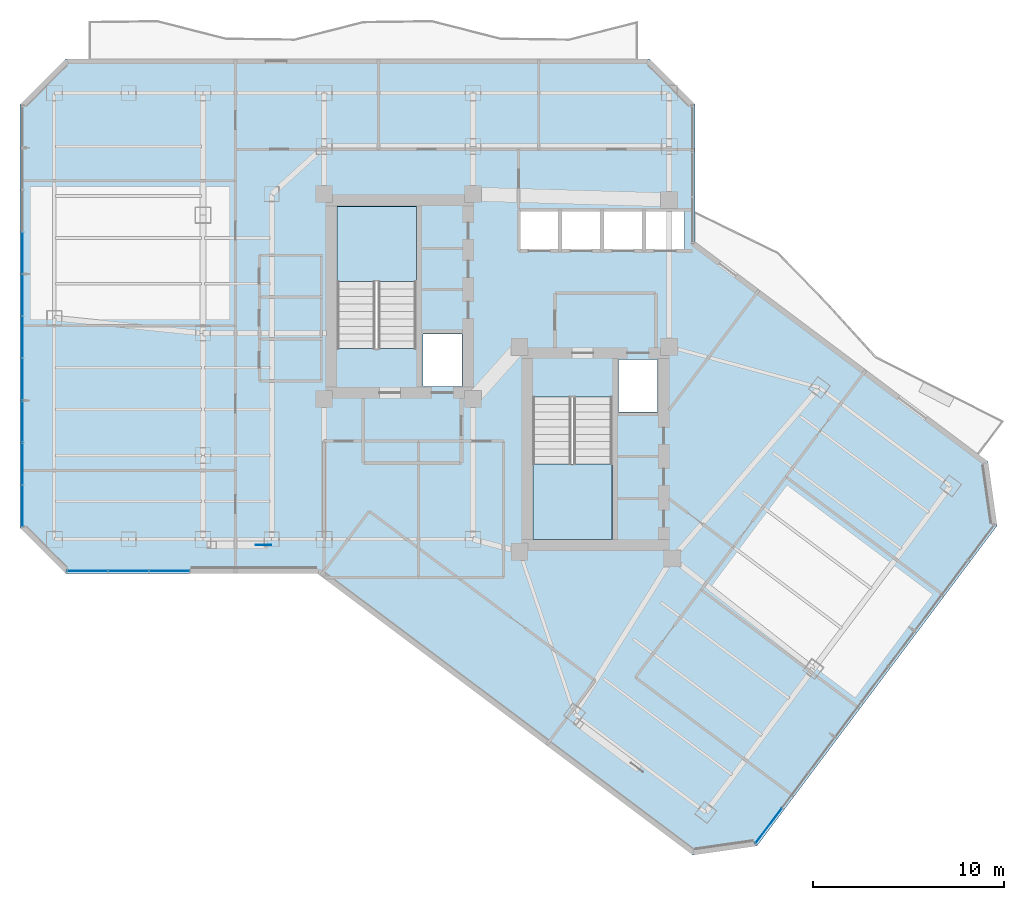
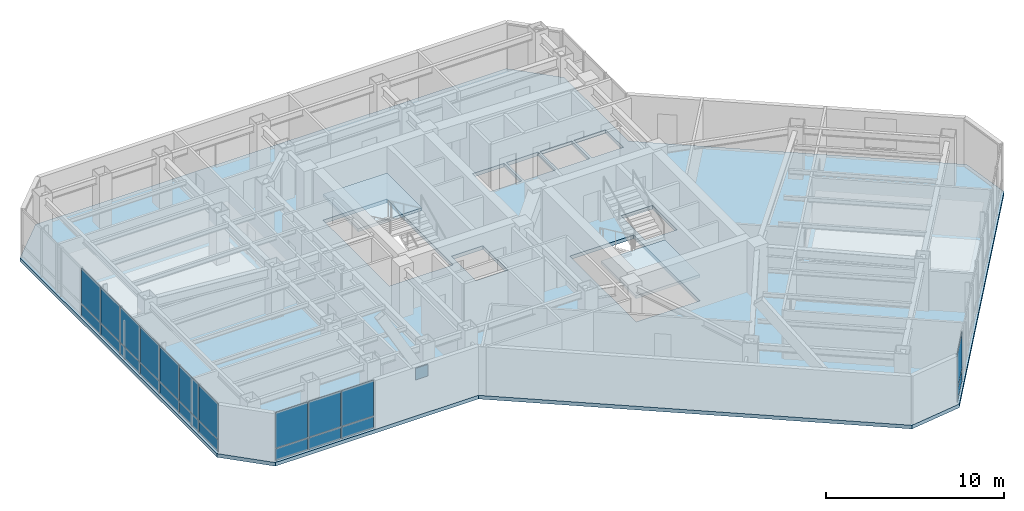
# One storey, part 20 of 28: 23 plates, 3 slabs, 5 elements without a shape of their own.
"""IFC4 building model written with IfcOpenShell, lengths in metres."""

from ifc_helpers import new_model, si_unit, direction, frame, origin, origin_2d, place, context, subcontext, project, spatial, polyline, rectangle, outline, extrude, material, layer, layer_set, type_object, element, aggregate, save


model = new_model("IFC4")

# Units and contexts
model_context = context("Model", 3, precision=1e-05, world=origin(), true_north=direction((0.0, 1.0)))
body_context = subcontext(model_context, "Body", "Model", "MODEL_VIEW")
ifc_project = project(units=[si_unit("LENGTHUNIT", "METRE"), si_unit("AREAUNIT", "SQUARE_METRE"), si_unit("VOLUMEUNIT", "CUBIC_METRE"), si_unit("PLANEANGLEUNIT", "RADIAN"), si_unit("MASSUNIT", "GRAM", prefix="KILO")], contexts=[model_context])

# Site, building, storey
site_placement = place(None, origin())
site = spatial("IfcSite", under=ifc_project, at=site_placement, CompositionType="ELEMENT")
building_placement = place(site_placement, origin())
building = spatial("IfcBuilding", under=site, at=building_placement, Name="Hatsunagi Terrace Concourse", CompositionType="ELEMENT")
storey_placement = place(building_placement, frame((0.0, 0.0, 160.050048828125)))
storey = spatial("IfcBuildingStorey", under=building, at=storey_placement, Name="L42", CompositionType="ELEMENT", Elevation=160.050048828125)

# Curtain wall, plate
ifc_material_1 = material(Name="Anodised Aluminium Alloy 6063-T5", Category="aluminium")
ifc_layer_1 = layer(ifc_material_1, 0.199951171875)
ifc_layer_set_1 = layer_set([ifc_layer_1], Name="OfficeZone1_CW03")
curtain_wall_type = type_object("IfcCurtainWallType", Name="OfficeZone1_CW03", PredefinedType="NOTDEFINED", material=ifc_layer_set_1)
curtain_wall_1_placement = place(storey_placement, origin())
curtain_wall_1 = element("IfcCurtainWall", 1, at=curtain_wall_1_placement, inside=storey, type_object=curtain_wall_type, Name="Unitised Curtain Wall CW-03 CW-L42-03", PredefinedType="NOTDEFINED")
ifc_material_2 = material(Name="Warm Terracotta Ceramic Spandrel Panel", Category="masonry")
ifc_layer_2 = layer(ifc_material_2, 0.031982421875)
ifc_layer_set_2 = layer_set([ifc_layer_2], Name="CurtainWallSpandrelPanel_32")
plate_type_1 = type_object("IfcPlateType", Name="CurtainWallSpandrelPanel_32", PredefinedType="SHEET", material=ifc_layer_set_2)
plate_1_placement = place(storey_placement, frame((48.85888671875, 10.177978515625, 0.030029296875), z_axis=(0.0, 0.0, 1.0), x_axis=(-0.599969314634, -0.800023013105, 0.0)))
plate_1 = element("IfcPlate", 2, at=plate_1_placement, type_object=plate_type_1, Name="Terracotta Spandrel Panel SPN-01", PredefinedType="SHEET", context=body_context, shape_type="SweptSolid", body=[
    extrude(rectangle(XDim=2.264892578125, YDim=0.031982421875, at=origin_2d()), origin(), (0.0, 0.0, 1.0), 0.7900390625),
])

# Curtain wall, plates
curtain_wall_2_placement = place(storey_placement, origin())
curtain_wall_2 = element("IfcCurtainWall", 3, at=curtain_wall_2_placement, inside=storey, type_object=curtain_wall_type, Name="Unitised Curtain Wall CW-03 CW-L42-07", PredefinedType="NOTDEFINED")
plate_2_placement = place(storey_placement, frame((17.426025390625, 23.5400390625, 0.030029296875), z_axis=(0.0, 0.0, 1.0), x_axis=(-1.0, 0.0, 0.0)))
plate_2 = element("IfcPlate", 4, at=plate_2_placement, type_object=plate_type_1, Name="Terracotta Spandrel Panel SPN-01", PredefinedType="SHEET", context=body_context, shape_type="SweptSolid", body=[
    extrude(rectangle(XDim=2.092041015625, YDim=0.031982421875, at=origin_2d()), origin(), (0.0, 0.0, 1.0), 0.7900390625),
])
plate_3_placement = place(storey_placement, frame((15.279052734375, 23.5400390625, 0.030029296875), z_axis=(0.0, 0.0, 1.0), x_axis=(-1.0, 0.0, 0.0)))
plate_3 = element("IfcPlate", 5, at=plate_3_placement, type_object=plate_type_1, Name="Terracotta Spandrel Panel SPN-01", PredefinedType="SHEET", context=body_context, shape_type="SweptSolid", body=[
    extrude(rectangle(XDim=2.092041015625, YDim=0.031982421875, at=origin_2d()), origin(), (0.0, 0.0, 1.0), 0.7900390625),
])
plate_4_placement = place(storey_placement, frame((13.132080078125, 23.5400390625, 0.030029296875), z_axis=(0.0, 0.0, 1.0), x_axis=(-1.0, 0.0, 0.0)))
plate_4 = element("IfcPlate", 6, at=plate_4_placement, type_object=plate_type_1, Name="Terracotta Spandrel Panel SPN-01", PredefinedType="SHEET", context=body_context, shape_type="SweptSolid", body=[
    extrude(rectangle(XDim=2.092041015625, YDim=0.031982421875, at=origin_2d()), origin(), (0.0, 0.0, 1.0), 0.7900390625),
])

curtain_wall_3_placement = place(storey_placement, origin())
curtain_wall_3 = element("IfcCurtainWall", 7, at=curtain_wall_3_placement, inside=storey, type_object=curtain_wall_type, Name="Unitised Curtain Wall CW-03 CW-L42-09", PredefinedType="NOTDEFINED")
plate_5_placement = place(storey_placement, frame((9.739990234375, 26.9619140625, 0.030029296875), z_axis=(0.0, 0.0, 1.0), x_axis=(0.0, 1.0, 0.0)))
plate_5 = element("IfcPlate", 8, at=plate_5_placement, type_object=plate_type_1, Name="Terracotta Spandrel Panel SPN-01", PredefinedType="SHEET", context=body_context, shape_type="SweptSolid", body=[
    extrude(rectangle(XDim=2.153076171875, YDim=0.031982421875, at=origin_2d()), origin(), (0.0, 0.0, 1.0), 0.7900390625),
])
plate_6_placement = place(storey_placement, frame((9.739990234375, 29.1708984375, 0.030029296875), z_axis=(0.0, 0.0, 1.0), x_axis=(0.0, 1.0, 0.0)))
plate_6 = element("IfcPlate", 9, at=plate_6_placement, type_object=plate_type_1, Name="Terracotta Spandrel Panel SPN-01", PredefinedType="SHEET", context=body_context, shape_type="SweptSolid", body=[
    extrude(rectangle(XDim=2.153076171875, YDim=0.031982421875, at=origin_2d()), origin(), (0.0, 0.0, 1.0), 0.7900390625),
])
plate_7_placement = place(storey_placement, frame((9.739990234375, 31.37890625, 0.030029296875), z_axis=(0.0, 0.0, 1.0), x_axis=(0.0, 1.0, 0.0)))
plate_7 = element("IfcPlate", 10, at=plate_7_placement, type_object=plate_type_1, Name="Terracotta Spandrel Panel SPN-01", PredefinedType="SHEET", context=body_context, shape_type="SweptSolid", body=[
    extrude(rectangle(XDim=2.153076171875, YDim=0.031982421875, at=origin_2d()), origin(), (0.0, 0.0, 1.0), 0.7900390625),
])
plate_8_placement = place(storey_placement, frame((9.739990234375, 33.5869140625, 0.030029296875), z_axis=(0.0, 0.0, 1.0), x_axis=(0.0, 1.0, 0.0)))
plate_8 = element("IfcPlate", 11, at=plate_8_placement, type_object=plate_type_1, Name="Terracotta Spandrel Panel SPN-01", PredefinedType="SHEET", context=body_context, shape_type="SweptSolid", body=[
    extrude(rectangle(XDim=2.153076171875, YDim=0.031982421875, at=origin_2d()), origin(), (0.0, 0.0, 1.0), 0.7900390625),
])
plate_9_placement = place(storey_placement, frame((9.739990234375, 35.7958984375, 0.030029296875), z_axis=(0.0, 0.0, 1.0), x_axis=(0.0, 1.0, 0.0)))
plate_9 = element("IfcPlate", 12, at=plate_9_placement, type_object=plate_type_1, Name="Terracotta Spandrel Panel SPN-01", PredefinedType="SHEET", context=body_context, shape_type="SweptSolid", body=[
    extrude(rectangle(XDim=2.153076171875, YDim=0.031982421875, at=origin_2d()), origin(), (0.0, 0.0, 1.0), 0.7900390625),
])
plate_10_placement = place(storey_placement, frame((9.739990234375, 38.00390625, 0.030029296875), z_axis=(0.0, 0.0, 1.0), x_axis=(0.0, 1.0, 0.0)))
plate_10 = element("IfcPlate", 13, at=plate_10_placement, type_object=plate_type_1, Name="Terracotta Spandrel Panel SPN-01", PredefinedType="SHEET", context=body_context, shape_type="SweptSolid", body=[
    extrude(rectangle(XDim=2.153076171875, YDim=0.031982421875, at=origin_2d()), origin(), (0.0, 0.0, 1.0), 0.7900390625),
])
plate_11_placement = place(storey_placement, frame((9.739990234375, 40.212890625, 0.030029296875), z_axis=(0.0, 0.0, 1.0), x_axis=(0.0, 1.0, 0.0)))
plate_11 = element("IfcPlate", 14, at=plate_11_placement, type_object=plate_type_1, Name="Terracotta Spandrel Panel SPN-01", PredefinedType="SHEET", context=body_context, shape_type="SweptSolid", body=[
    extrude(rectangle(XDim=2.153076171875, YDim=0.031982421875, at=origin_2d()), origin(), (0.0, 0.0, 1.0), 0.7900390625),
])

# Plate
ifc_material_3 = material(Name="Low-E Double Insulating Glass 28mm", Category="glass")
ifc_layer_3 = layer(ifc_material_3, 0.028076171875)
ifc_layer_set_3 = layer_set([ifc_layer_3], Name="CurtainWallVisionGlass_28")
plate_type_2 = type_object("IfcPlateType", Name="CurtainWallVisionGlass_28", PredefinedType="CURTAIN_PANEL", material=ifc_layer_set_3)
plate_12_placement = place(storey_placement, frame((48.85888671875, 10.177978515625, 0.8798828125), z_axis=(0.0, 0.0, 1.0), x_axis=(-0.599969314634, -0.800023013105, 0.0)))
plate_12 = element("IfcPlate", 15, at=plate_12_placement, type_object=plate_type_2, Name="Low-E Vision Glass Panel GLZ-01", PredefinedType="CURTAIN_PANEL", context=body_context, shape_type="SweptSolid", body=[
    extrude(rectangle(XDim=2.264892578125, YDim=0.028076171875, at=origin_2d()), origin(), (0.0, 0.0, 1.0), 2.43994140625),
])

aggregate(curtain_wall_1, [plate_1, plate_12])

plate_13_placement = place(storey_placement, frame((17.426025390625, 23.5400390625, 0.8798828125), z_axis=(0.0, 0.0, 1.0), x_axis=(-1.0, 0.0, 0.0)))
plate_13 = element("IfcPlate", 16, at=plate_13_placement, type_object=plate_type_2, Name="Low-E Vision Glass Panel GLZ-01", PredefinedType="CURTAIN_PANEL", context=body_context, shape_type="SweptSolid", body=[
    extrude(rectangle(XDim=2.092041015625, YDim=0.028076171875, at=origin_2d()), origin(), (0.0, 0.0, 1.0), 2.43994140625),
])

plate_14_placement = place(storey_placement, frame((15.279052734375, 23.5400390625, 0.8798828125), z_axis=(0.0, 0.0, 1.0), x_axis=(-1.0, 0.0, 0.0)))
plate_14 = element("IfcPlate", 17, at=plate_14_placement, type_object=plate_type_2, Name="Low-E Vision Glass Panel GLZ-01", PredefinedType="CURTAIN_PANEL", context=body_context, shape_type="SweptSolid", body=[
    extrude(rectangle(XDim=2.092041015625, YDim=0.028076171875, at=origin_2d()), origin(), (0.0, 0.0, 1.0), 2.43994140625),
])

plate_15_placement = place(storey_placement, frame((13.132080078125, 23.5400390625, 0.8798828125), z_axis=(0.0, 0.0, 1.0), x_axis=(-1.0, 0.0, 0.0)))
plate_15 = element("IfcPlate", 18, at=plate_15_placement, type_object=plate_type_2, Name="Low-E Vision Glass Panel GLZ-01", PredefinedType="CURTAIN_PANEL", context=body_context, shape_type="SweptSolid", body=[
    extrude(rectangle(XDim=2.092041015625, YDim=0.028076171875, at=origin_2d()), origin(), (0.0, 0.0, 1.0), 2.43994140625),
])

aggregate(curtain_wall_2, [plate_2, plate_13, plate_3, plate_14, plate_4, plate_15])

plate_16_placement = place(storey_placement, frame((9.739990234375, 26.9619140625, 0.8798828125), z_axis=(0.0, 0.0, 1.0), x_axis=(0.0, 1.0, 0.0)))
plate_16 = element("IfcPlate", 19, at=plate_16_placement, type_object=plate_type_2, Name="Low-E Vision Glass Panel GLZ-01", PredefinedType="CURTAIN_PANEL", context=body_context, shape_type="SweptSolid", body=[
    extrude(rectangle(XDim=2.153076171875, YDim=0.028076171875, at=origin_2d()), origin(), (0.0, 0.0, 1.0), 2.43994140625),
])

plate_17_placement = place(storey_placement, frame((9.739990234375, 29.1708984375, 0.8798828125), z_axis=(0.0, 0.0, 1.0), x_axis=(0.0, 1.0, 0.0)))
plate_17 = element("IfcPlate", 20, at=plate_17_placement, type_object=plate_type_2, Name="Low-E Vision Glass Panel GLZ-01", PredefinedType="CURTAIN_PANEL", context=body_context, shape_type="SweptSolid", body=[
    extrude(rectangle(XDim=2.153076171875, YDim=0.028076171875, at=origin_2d()), origin(), (0.0, 0.0, 1.0), 2.43994140625),
])

plate_18_placement = place(storey_placement, frame((9.739990234375, 31.37890625, 0.8798828125), z_axis=(0.0, 0.0, 1.0), x_axis=(0.0, 1.0, 0.0)))
plate_18 = element("IfcPlate", 21, at=plate_18_placement, type_object=plate_type_2, Name="Low-E Vision Glass Panel GLZ-01", PredefinedType="CURTAIN_PANEL", context=body_context, shape_type="SweptSolid", body=[
    extrude(rectangle(XDim=2.153076171875, YDim=0.028076171875, at=origin_2d()), origin(), (0.0, 0.0, 1.0), 2.43994140625),
])

plate_19_placement = place(storey_placement, frame((9.739990234375, 33.5869140625, 0.8798828125), z_axis=(0.0, 0.0, 1.0), x_axis=(0.0, 1.0, 0.0)))
plate_19 = element("IfcPlate", 22, at=plate_19_placement, type_object=plate_type_2, Name="Low-E Vision Glass Panel GLZ-01", PredefinedType="CURTAIN_PANEL", context=body_context, shape_type="SweptSolid", body=[
    extrude(rectangle(XDim=2.153076171875, YDim=0.028076171875, at=origin_2d()), origin(), (0.0, 0.0, 1.0), 2.43994140625),
])

plate_20_placement = place(storey_placement, frame((9.739990234375, 35.7958984375, 0.8798828125), z_axis=(0.0, 0.0, 1.0), x_axis=(0.0, 1.0, 0.0)))
plate_20 = element("IfcPlate", 23, at=plate_20_placement, type_object=plate_type_2, Name="Low-E Vision Glass Panel GLZ-01", PredefinedType="CURTAIN_PANEL", context=body_context, shape_type="SweptSolid", body=[
    extrude(rectangle(XDim=2.153076171875, YDim=0.028076171875, at=origin_2d()), origin(), (0.0, 0.0, 1.0), 2.43994140625),
])

plate_21_placement = place(storey_placement, frame((9.739990234375, 38.00390625, 0.8798828125), z_axis=(0.0, 0.0, 1.0), x_axis=(0.0, 1.0, 0.0)))
plate_21 = element("IfcPlate", 24, at=plate_21_placement, type_object=plate_type_2, Name="Low-E Vision Glass Panel GLZ-01", PredefinedType="CURTAIN_PANEL", context=body_context, shape_type="SweptSolid", body=[
    extrude(rectangle(XDim=2.153076171875, YDim=0.028076171875, at=origin_2d()), origin(), (0.0, 0.0, 1.0), 2.43994140625),
])

plate_22_placement = place(storey_placement, frame((9.739990234375, 40.212890625, 0.8798828125), z_axis=(0.0, 0.0, 1.0), x_axis=(0.0, 1.0, 0.0)))
plate_22 = element("IfcPlate", 25, at=plate_22_placement, type_object=plate_type_2, Name="Low-E Vision Glass Panel GLZ-01", PredefinedType="CURTAIN_PANEL", context=body_context, shape_type="SweptSolid", body=[
    extrude(rectangle(XDim=2.153076171875, YDim=0.028076171875, at=origin_2d()), origin(), (0.0, 0.0, 1.0), 2.43994140625),
])

aggregate(curtain_wall_3, [plate_5, plate_16, plate_6, plate_17, plate_7, plate_18, plate_8, plate_19, plate_9, plate_20, plate_10, plate_21, plate_11, plate_22])

# Stair, slab
ifc_material_4 = material(Name="Concrete Fc42", Category="concrete")
stair_type = type_object("IfcStairType", Name="DoglegExitStair_Tower2000_20R_180", PredefinedType="HALF_TURN_STAIR", material=ifc_material_4)
stair_1_placement = place(storey_placement, origin())
stair_1 = element("IfcStair", 26, at=stair_1_placement, inside=storey, type_object=stair_type, Name="L42 Core A Protected Exit Stair ST-A", PredefinedType="HALF_TURN_STAIR")
ifc_material_5 = material(Name="Concrete Fc42", Category="concrete")
ifc_layer_4 = layer(ifc_material_5, 0.199951171875)
ifc_layer_set_4 = layer_set([ifc_layer_4], Name="DoglegStairLanding_Tower2000")
slab_type_1 = type_object("IfcSlabType", Name="DoglegStairLanding_Tower2000", PredefinedType="LANDING", material=ifc_layer_set_4)
slab_1_placement = place(storey_placement, frame((0.0, 0.0, 1.599853515625)))
slab_1 = element("IfcSlab", 27, at=slab_1_placement, type_object=slab_type_1, Name="ST-A landing 1", PredefinedType="LANDING", context=body_context, shape_type="SweptSolid", body=[
    extrude(outline(polyline([(30.3798828125, 38.7099609375), (30.3798828125, 42.659912109375), (26.22998046875, 42.659912109375), (26.22998046875, 38.7099609375), (30.3798828125, 38.7099609375)])), origin(), (0.0, 0.0, 1.0), 0.2001953125),
])
aggregate(stair_1, [slab_1])

stair_2_placement = place(storey_placement, origin())
stair_2 = element("IfcStair", 28, at=stair_2_placement, inside=storey, type_object=stair_type, Name="L42 Core B Protected Exit Stair ST-B", PredefinedType="HALF_TURN_STAIR")
slab_2_placement = place(storey_placement, frame((0.0, 0.0, 1.599853515625)))
slab_2 = element("IfcSlab", 29, at=slab_2_placement, type_object=slab_type_1, Name="ST-B landing 1", PredefinedType="LANDING", context=body_context, shape_type="SweptSolid", body=[
    extrude(outline(polyline([(36.5, 29.14990234375), (36.5, 25.199951171875), (40.64990234375, 25.199951171875), (40.64990234375, 29.14990234375), (36.5, 29.14990234375)])), origin(), (0.0, 0.0, 1.0), 0.2001953125),
])
aggregate(stair_2, [slab_2])

# Slab
ifc_material_6 = material(Name="Concrete Fc42", Category="concrete")
ifc_layer_5 = layer(ifc_material_6, 0.25)
ifc_layer_set_5 = layer_set([ifc_layer_5], Name="OfficeCrownSlab_Fc42_250")
slab_type_2 = type_object("IfcSlabType", Name="OfficeCrownSlab_Fc42_250", PredefinedType="FLOOR", material=ifc_layer_set_5)
slab_3_placement = place(storey_placement, frame((0.0, 0.0, -0.25)))
element("IfcSlab", 30, at=slab_3_placement, inside=storey, type_object=slab_type_2, Name="Floor Slab SL-250 L42", PredefinedType="FLOOR", context=body_context, shape_type="SweptSolid", body=[
    extrude(outline(polyline([(45.0, 40.800048828125), (45.0, 48.0), (42.60009765625, 50.39990234375), (12.0, 50.39990234375), (9.60009765625, 48.0), (9.60009765625, 25.800048828125), (12.0, 23.39990234375), (25.199951171875, 23.39990234375), (44.8798828125, 8.639892578125), (48.239990234375, 9.1201171875), (60.840087890625, 25.919921875), (60.360107421875, 29.280029296875), (45.0, 40.800048828125)]), holes=[polyline([(26.22998046875, 35.205078125), (30.3798828125, 35.205078125), (30.3798828125, 42.659912109375), (26.22998046875, 42.659912109375), (26.22998046875, 35.205078125)]), polyline([(36.5, 25.199951171875), (40.64990234375, 25.199951171875), (40.64990234375, 32.655029296875), (36.5, 32.655029296875), (36.5, 25.199951171875)]), polyline([(30.719970703125, 33.219970703125), (32.780029296875, 33.219970703125), (32.780029296875, 35.97998046875), (30.719970703125, 35.97998046875), (30.719970703125, 33.219970703125)]), polyline([(40.97998046875, 31.8798828125), (43.02001953125, 31.8798828125), (43.02001953125, 34.639892578125), (40.97998046875, 34.639892578125), (40.97998046875, 31.8798828125)]), polyline([(35.800048828125, 40.39990234375), (37.85009765625, 40.39990234375), (37.85009765625, 42.39990234375), (35.800048828125, 42.39990234375), (35.800048828125, 40.39990234375)]), polyline([(38.0, 40.39990234375), (40.050048828125, 40.39990234375), (40.050048828125, 42.39990234375), (38.0, 42.39990234375), (38.0, 40.39990234375)]), polyline([(40.199951171875, 40.39990234375), (42.25, 40.39990234375), (42.25, 42.39990234375), (40.199951171875, 42.39990234375), (40.199951171875, 40.39990234375)]), polyline([(42.39990234375, 40.39990234375), (44.449951171875, 40.39990234375), (44.449951171875, 42.39990234375), (42.39990234375, 42.39990234375), (42.39990234375, 40.39990234375)])]), origin(), (0.0, 0.0, 1.0), 0.25),
])

# Plate
ifc_material_7 = material(Name="Steel SN490C", Category="steel")
ifc_layer_6 = layer(ifc_material_7, 0.031982421875)
ifc_layer_set_6 = layer_set([ifc_layer_6], Name="XBraceNodeCapPlate_32")
plate_type_3 = type_object("IfcPlateType", Name="XBraceNodeCapPlate_32", PredefinedType="USERDEFINED", material=ifc_layer_set_6)
plate_23_placement = place(storey_placement, frame((22.375, 24.89990234375, 1.27490234375), z_axis=(0.0, 0.0, 1.0), x_axis=(1.0, 0.0, 0.0)))
element("IfcPlate", 31, at=plate_23_placement, inside=storey, type_object=plate_type_3, Name="X-Brace Crossing Gusset Node Plate GP-02 XB-L41-W1", ObjectType="GUSSET_PLATE", PredefinedType="USERDEFINED", context=body_context, shape_type="SweptSolid", body=[
    extrude(rectangle(XDim=0.800048828125, YDim=0.031982421875, at=origin_2d()), origin(), (0.0, 0.0, 1.0), 0.800048828125),
])

save(model, "model.ifc")
